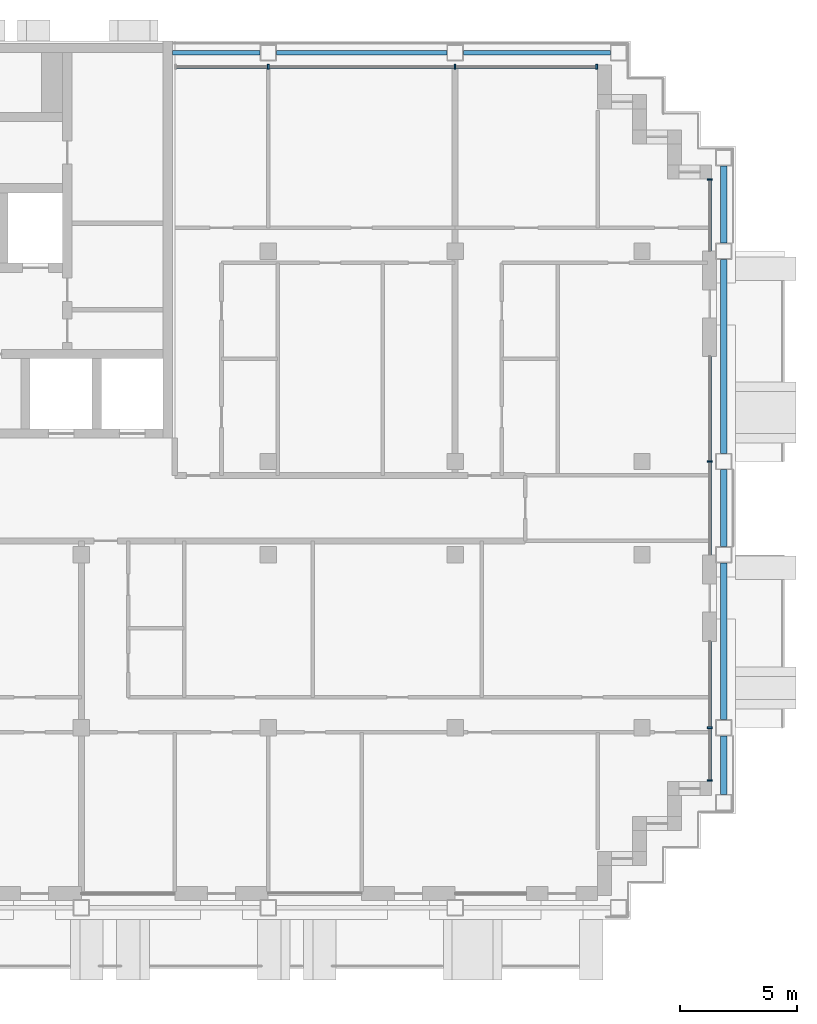
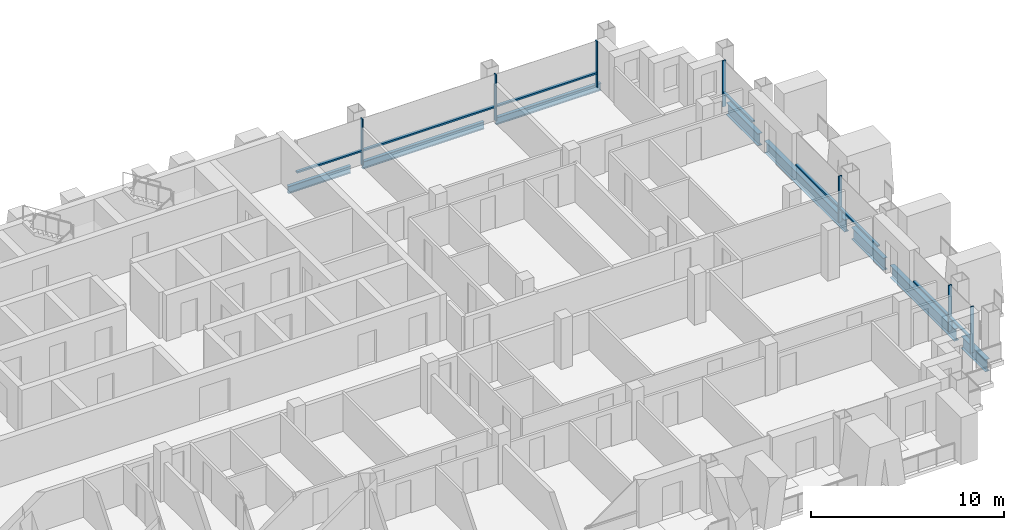
# One storey, part 5 of 16: 15 members, 8 beams, 4 elements without a shape of their own.
"""IFC4 building model written with IfcOpenShell, lengths in metres."""

from ifc_helpers import new_model, si_unit, direction, frame, origin, origin_2d, place, context, subcontext, project, spatial, rectangle, i_section, extrude, material, material_profile, profile_set, type_object, element, aggregate, save


model = new_model("IFC4")

# Units and contexts
model_context = context("Model", 3, precision=1e-05, world=origin(), true_north=direction((0.0, 1.0)))
body_context = subcontext(model_context, "Body", "Model", "MODEL_VIEW")
ifc_project = project(units=[si_unit("LENGTHUNIT", "METRE"), si_unit("AREAUNIT", "SQUARE_METRE"), si_unit("VOLUMEUNIT", "CUBIC_METRE"), si_unit("PLANEANGLEUNIT", "RADIAN"), si_unit("MASSUNIT", "GRAM", prefix="KILO")], contexts=[model_context])

# Site, building, storey
site_placement = place(None, origin())
site = spatial("IfcSite", under=ifc_project, at=site_placement, CompositionType="ELEMENT")
building_placement = place(site_placement, origin())
building = spatial("IfcBuilding", under=site, at=building_placement, Name="Vidyagriha Tower", CompositionType="ELEMENT")
storey_placement = place(building_placement, frame((0.0, 0.0, 171.699951171875)))
storey = spatial("IfcBuildingStorey", under=building, at=storey_placement, Name="L44", CompositionType="ELEMENT", Elevation=171.699951171875)

# Beams
ifc_material_1 = material(Name="Steel ASTM A992 Grade 50", Category="steel")
ifc_material_profile_1 = material_profile(ifc_material_1, i_section(OverallWidth=0.2666015625, OverallDepth=0.76953125, WebThickness=0.015625, FlangeThickness=0.025390625, at=origin_2d()), Name="W30X132")
ifc_profile_set_1 = profile_set([ifc_material_profile_1], Name="Steel ASTM A992 Grade 50")
beam_type_1 = type_object("IfcBeamType", Name="Cantilever edge beam W30X132", PredefinedType="SPANDREL", material=ifc_profile_set_1)
beam_1_placement = place(storey_placement, frame((37.5, -12.25, -0.664794921875), z_axis=(0.0, 1.0, 0.0), x_axis=(-1.0, 0.0, 0.0)))
element("IfcBeam", 1, at=beam_1_placement, inside=storey, type_object=beam_type_1, Name="st-beam-L44-E13", PredefinedType="SPANDREL", context=body_context, shape_type="SweptSolid", body=[
    extrude(i_section(OverallWidth=0.2666015625, OverallDepth=0.76953125, WebThickness=0.015625, FlangeThickness=0.025390625, at=origin_2d()), origin(), (0.0, 0.0, 1.0), 2.5),
])
beam_2_placement = place(storey_placement, frame((37.5, -9.050048828125, -0.664794921875), z_axis=(0.0, 1.0, 0.0), x_axis=(-1.0, 0.0, 0.0)))
element("IfcBeam", 2, at=beam_2_placement, inside=storey, type_object=beam_type_1, Name="st-beam-L44-E14", PredefinedType="SPANDREL", context=body_context, shape_type="SweptSolid", body=[
    extrude(i_section(OverallWidth=0.2666015625, OverallDepth=0.76953125, WebThickness=0.015625, FlangeThickness=0.025390625, at=origin_2d()), origin(), (0.0, 0.0, 1.0), 6.699951171875),
])
beam_3_placement = place(storey_placement, frame((37.5, -1.64990234375, -0.664794921875), z_axis=(0.0, 1.0, 0.0), x_axis=(-1.0, 0.0, 0.0)))
element("IfcBeam", 3, at=beam_3_placement, inside=storey, type_object=beam_type_1, Name="st-beam-L44-E15", PredefinedType="SPANDREL", context=body_context, shape_type="SweptSolid", body=[
    extrude(i_section(OverallWidth=0.2666015625, OverallDepth=0.76953125, WebThickness=0.015625, FlangeThickness=0.025390625, at=origin_2d()), origin(), (0.0, 0.0, 1.0), 3.2998046875),
])
beam_4_placement = place(storey_placement, frame((37.5, 2.35009765625, -0.664794921875), z_axis=(0.0, 1.0, 0.0), x_axis=(-1.0, 0.0, 0.0)))
element("IfcBeam", 4, at=beam_4_placement, inside=storey, type_object=beam_type_1, Name="st-beam-L44-E16", PredefinedType="SPANDREL", context=body_context, shape_type="SweptSolid", body=[
    extrude(i_section(OverallWidth=0.2666015625, OverallDepth=0.76953125, WebThickness=0.015625, FlangeThickness=0.025390625, at=origin_2d()), origin(), (0.0, 0.0, 1.0), 8.2998046875),
])
beam_5_placement = place(storey_placement, frame((37.5, 11.35009765625, -0.664794921875), z_axis=(0.0, 1.0, 0.0), x_axis=(-1.0, 0.0, 0.0)))
element("IfcBeam", 5, at=beam_5_placement, inside=storey, type_object=beam_type_1, Name="st-beam-L44-E17", PredefinedType="SPANDREL", context=body_context, shape_type="SweptSolid", body=[
    extrude(i_section(OverallWidth=0.2666015625, OverallDepth=0.76953125, WebThickness=0.015625, FlangeThickness=0.025390625, at=origin_2d()), origin(), (0.0, 0.0, 1.0), 3.2998046875),
])
ifc_material_2 = material(Name="Steel ASTM A992 Grade 50", Category="steel")
ifc_material_profile_2 = material_profile(ifc_material_2, i_section(OverallWidth=0.19189453125, OverallDepth=0.46240234375, WebThickness=0.010498046875, FlangeThickness=0.017578125, at=origin_2d()), Name="W18X60")
ifc_profile_set_2 = profile_set([ifc_material_profile_2], Name="Steel ASTM A992 Grade 50")
beam_type_2 = type_object("IfcBeamType", Name="Edge beam W18X60", PredefinedType="SPANDREL", material=ifc_profile_set_2)
beam_6_placement = place(storey_placement, frame((18.35009765625, 19.5, -0.510986328125), z_axis=(1.0, 0.0, 0.0), x_axis=(0.0, 1.0, 0.0)))
element("IfcBeam", 6, at=beam_6_placement, inside=storey, type_object=beam_type_2, Name="st-beam-L44-NE18", PredefinedType="SPANDREL", context=body_context, shape_type="SweptSolid", body=[
    extrude(i_section(OverallWidth=0.19189453125, OverallDepth=0.46240234375, WebThickness=0.010498046875, FlangeThickness=0.017578125, at=origin_2d()), origin(), (0.0, 0.0, 1.0), 7.2998046875),
])
beam_7_placement = place(storey_placement, frame((26.35009765625, 19.5, -0.510986328125), z_axis=(1.0, 0.0, 0.0), x_axis=(0.0, 1.0, 0.0)))
element("IfcBeam", 7, at=beam_7_placement, inside=storey, type_object=beam_type_2, Name="st-beam-L44-NE19", PredefinedType="SPANDREL", context=body_context, shape_type="SweptSolid", body=[
    extrude(i_section(OverallWidth=0.19189453125, OverallDepth=0.46240234375, WebThickness=0.010498046875, FlangeThickness=0.017578125, at=origin_2d()), origin(), (0.0, 0.0, 1.0), 6.2998046875),
])
beam_8_placement = place(storey_placement, frame((13.89990234375, 19.5, -0.510986328125), z_axis=(1.0, 0.0, 0.0), x_axis=(0.0, 1.0, 0.0)))
element("IfcBeam", 8, at=beam_8_placement, inside=storey, type_object=beam_type_2, Name="st-beam-L44-NC21", PredefinedType="SPANDREL", context=body_context, shape_type="SweptSolid", body=[
    extrude(i_section(OverallWidth=0.19189453125, OverallDepth=0.46240234375, WebThickness=0.010498046875, FlangeThickness=0.017578125, at=origin_2d()), origin(), (0.0, 0.0, 1.0), 3.75),
])

# Curtain wall, members
ifc_material_3 = material(Name="Aluminium and glass curtain wall", Category="aluminium")
curtain_wall_type = type_object("IfcCurtainWallType", Name="Dwelling skin unitised curtain wall", PredefinedType="USERDEFINED", material=ifc_material_3)
curtain_wall_1_placement = place(storey_placement, origin())
curtain_wall_1 = element("IfcCurtainWall", 9, at=curtain_wall_1_placement, inside=storey, type_object=curtain_wall_type, Name="CW1 dwelling skin", ObjectType="UNITISED", PredefinedType="USERDEFINED")
ifc_material_4 = material(Name="Aluminium black anodised", Category="aluminium")
ifc_material_profile_3 = material_profile(ifc_material_4, rectangle(XDim=0.199951171875, YDim=0.070068359375, at=origin_2d()), Name="Mullion 70x200 black aluminium")
ifc_profile_set_3 = profile_set([ifc_material_profile_3], Name="Aluminium black anodised")
member_type_1 = type_object("IfcMemberType", Name="Mullion 70x200 black aluminium", PredefinedType="MULLION", material=ifc_profile_set_3)
member_1_placement = place(storey_placement, frame((32.06494140625, 18.89990234375, 0.0), z_axis=(0.0, 0.0, 1.0), x_axis=(0.0, -1.0, 0.0)))
member_1 = element("IfcMember", 10, at=member_1_placement, type_object=member_type_1, Name="CW1 mullion 1", PredefinedType="MULLION", context=body_context, shape_type="SweptSolid", body=[
    extrude(rectangle(XDim=0.199951171875, YDim=0.070068359375, at=origin_2d()), origin(), (0.0, 0.0, 1.0), 2.920166015625),
])
member_2_placement = place(storey_placement, frame((26.0, 18.89990234375, 0.0), z_axis=(0.0, 0.0, 1.0), x_axis=(0.0, -1.0, 0.0)))
member_2 = element("IfcMember", 11, at=member_2_placement, type_object=member_type_1, Name="CW1 mullion 2", PredefinedType="MULLION", context=body_context, shape_type="SweptSolid", body=[
    extrude(rectangle(XDim=0.199951171875, YDim=0.070068359375, at=origin_2d()), origin(), (0.0, 0.0, 1.0), 2.920166015625),
])
member_3_placement = place(storey_placement, frame((18.0, 18.89990234375, 0.0), z_axis=(0.0, 0.0, 1.0), x_axis=(0.0, -1.0, 0.0)))
member_3 = element("IfcMember", 12, at=member_3_placement, type_object=member_type_1, Name="CW1 mullion 3", PredefinedType="MULLION", context=body_context, shape_type="SweptSolid", body=[
    extrude(rectangle(XDim=0.199951171875, YDim=0.070068359375, at=origin_2d()), origin(), (0.0, 0.0, 1.0), 2.920166015625),
])

curtain_wall_2_placement = place(storey_placement, origin())
curtain_wall_2 = element("IfcCurtainWall", 13, at=curtain_wall_2_placement, inside=storey, type_object=curtain_wall_type, Name="CW1 dwelling skin", ObjectType="UNITISED", PredefinedType="USERDEFINED")
member_4_placement = place(storey_placement, frame((36.89990234375, -11.6650390625, 0.0), z_axis=(0.0, 0.0, 1.0), x_axis=(-1.0, 0.0, 0.0)))
member_4 = element("IfcMember", 14, at=member_4_placement, type_object=member_type_1, Name="CW1 mullion 1", PredefinedType="MULLION", context=body_context, shape_type="SweptSolid", body=[
    extrude(rectangle(XDim=0.199951171875, YDim=0.070068359375, at=origin_2d()), origin(), (0.0, 0.0, 1.0), 2.920166015625),
])
member_5_placement = place(storey_placement, frame((36.89990234375, -9.39990234375, 0.0), z_axis=(0.0, 0.0, 1.0), x_axis=(-1.0, 0.0, 0.0)))
member_5 = element("IfcMember", 15, at=member_5_placement, type_object=member_type_1, Name="CW1 mullion 2", PredefinedType="MULLION", context=body_context, shape_type="SweptSolid", body=[
    extrude(rectangle(XDim=0.199951171875, YDim=0.070068359375, at=origin_2d()), origin(), (0.0, 0.0, 1.0), 2.920166015625),
])

# Curtain wall, member
curtain_wall_3_placement = place(storey_placement, origin())
curtain_wall_3 = element("IfcCurtainWall", 16, at=curtain_wall_3_placement, inside=storey, type_object=curtain_wall_type, Name="CW1 dwelling skin", ObjectType="UNITISED", PredefinedType="USERDEFINED")
member_6_placement = place(storey_placement, frame((36.89990234375, 2.0, 0.0), z_axis=(0.0, 0.0, 1.0), x_axis=(-1.0, 0.0, 0.0)))
member_6 = element("IfcMember", 17, at=member_6_placement, type_object=member_type_1, Name="CW1 mullion 2", PredefinedType="MULLION", context=body_context, shape_type="SweptSolid", body=[
    extrude(rectangle(XDim=0.199951171875, YDim=0.070068359375, at=origin_2d()), origin(), (0.0, 0.0, 1.0), 2.920166015625),
])

curtain_wall_4_placement = place(storey_placement, origin())
curtain_wall_4 = element("IfcCurtainWall", 18, at=curtain_wall_4_placement, inside=storey, type_object=curtain_wall_type, Name="CW1 dwelling skin", ObjectType="UNITISED", PredefinedType="USERDEFINED")
member_7_placement = place(storey_placement, frame((36.89990234375, 14.06494140625, 0.0), z_axis=(0.0, 0.0, 1.0), x_axis=(-1.0, 0.0, 0.0)))
member_7 = element("IfcMember", 19, at=member_7_placement, type_object=member_type_1, Name="CW1 mullion 2", PredefinedType="MULLION", context=body_context, shape_type="SweptSolid", body=[
    extrude(rectangle(XDim=0.199951171875, YDim=0.070068359375, at=origin_2d()), origin(), (0.0, 0.0, 1.0), 2.920166015625),
])

# Member
ifc_material_5 = material(Name="Aluminium black anodised", Category="aluminium")
ifc_material_profile_4 = material_profile(ifc_material_5, rectangle(XDim=0.159912109375, YDim=0.10009765625, at=origin_2d()), Name="Transom 100x160 black aluminium")
ifc_profile_set_4 = profile_set([ifc_material_profile_4], Name="Aluminium black anodised")
member_type_2 = type_object("IfcMemberType", Name="Transom 100x160 black aluminium", PredefinedType="USERDEFINED", material=ifc_profile_set_4)
member_8_placement = place(storey_placement, frame((32.030029296875, 18.89990234375, 0.900146484375), z_axis=(-1.0, 0.0, 0.0), x_axis=(0.0, -1.0, 0.0)))
member_8 = element("IfcMember", 20, at=member_8_placement, type_object=member_type_2, Name="CW1 transom 1.1", ObjectType="TRANSOM", PredefinedType="USERDEFINED", context=body_context, shape_type="SweptSolid", body=[
    extrude(rectangle(XDim=0.159912109375, YDim=0.10009765625, at=origin_2d()), origin(), (0.0, 0.0, 1.0), 5.9951171875),
])

member_9_placement = place(storey_placement, frame((25.965087890625, 18.89990234375, 0.900146484375), z_axis=(-1.0, 0.0, 0.0), x_axis=(0.0, -1.0, 0.0)))
member_9 = element("IfcMember", 21, at=member_9_placement, type_object=member_type_2, Name="CW1 transom 2.1", ObjectType="TRANSOM", PredefinedType="USERDEFINED", context=body_context, shape_type="SweptSolid", body=[
    extrude(rectangle(XDim=0.159912109375, YDim=0.10009765625, at=origin_2d()), origin(), (0.0, 0.0, 1.0), 7.93017578125),
])

member_10_placement = place(storey_placement, frame((17.965087890625, 18.89990234375, 0.900146484375), z_axis=(-1.0, 0.0, 0.0), x_axis=(0.0, -1.0, 0.0)))
member_10 = element("IfcMember", 22, at=member_10_placement, type_object=member_type_2, Name="CW1 transom 3.1", ObjectType="TRANSOM", PredefinedType="USERDEFINED", context=body_context, shape_type="SweptSolid", body=[
    extrude(rectangle(XDim=0.159912109375, YDim=0.10009765625, at=origin_2d()), origin(), (0.0, 0.0, 1.0), 3.89501953125),
])

aggregate(curtain_wall_1, [member_1, member_2, member_3, member_8, member_9, member_10])

member_11_placement = place(storey_placement, frame((36.89990234375, -11.6298828125, 0.900146484375), z_axis=(0.0, 1.0, 0.0), x_axis=(-1.0, 0.0, 0.0)))
member_11 = element("IfcMember", 23, at=member_11_placement, type_object=member_type_2, Name="CW1 transom 1.1", ObjectType="TRANSOM", PredefinedType="USERDEFINED", context=body_context, shape_type="SweptSolid", body=[
    extrude(rectangle(XDim=0.159912109375, YDim=0.10009765625, at=origin_2d()), origin(), (0.0, 0.0, 1.0), 2.19482421875),
])

member_12_placement = place(storey_placement, frame((36.89990234375, -9.364990234375, 0.900146484375), z_axis=(0.0, 1.0, 0.0), x_axis=(-1.0, 0.0, 0.0)))
member_12 = element("IfcMember", 24, at=member_12_placement, type_object=member_type_2, Name="CW1 transom 2.1", ObjectType="TRANSOM", PredefinedType="USERDEFINED", context=body_context, shape_type="SweptSolid", body=[
    extrude(rectangle(XDim=0.159912109375, YDim=0.10009765625, at=origin_2d()), origin(), (0.0, 0.0, 1.0), 3.6650390625),
])

aggregate(curtain_wall_2, [member_4, member_5, member_11, member_12])

member_13_placement = place(storey_placement, frame((36.89990234375, -2.0, 0.900146484375), z_axis=(0.0, 1.0, 0.0), x_axis=(-1.0, 0.0, 0.0)))
member_13 = element("IfcMember", 25, at=member_13_placement, type_object=member_type_2, Name="CW1 transom 1.1", ObjectType="TRANSOM", PredefinedType="USERDEFINED", context=body_context, shape_type="SweptSolid", body=[
    extrude(rectangle(XDim=0.159912109375, YDim=0.10009765625, at=origin_2d()), origin(), (0.0, 0.0, 1.0), 3.965087890625),
])

member_14_placement = place(storey_placement, frame((36.89990234375, 2.034912109375, 0.900146484375), z_axis=(0.0, 1.0, 0.0), x_axis=(-1.0, 0.0, 0.0)))
member_14 = element("IfcMember", 26, at=member_14_placement, type_object=member_type_2, Name="CW1 transom 2.1", ObjectType="TRANSOM", PredefinedType="USERDEFINED", context=body_context, shape_type="SweptSolid", body=[
    extrude(rectangle(XDim=0.159912109375, YDim=0.10009765625, at=origin_2d()), origin(), (0.0, 0.0, 1.0), 4.465087890625),
])

aggregate(curtain_wall_3, [member_6, member_13, member_14])

member_15_placement = place(storey_placement, frame((36.89990234375, 11.0, 0.900146484375), z_axis=(0.0, 1.0, 0.0), x_axis=(-1.0, 0.0, 0.0)))
member_15 = element("IfcMember", 27, at=member_15_placement, type_object=member_type_2, Name="CW1 transom 1.1", ObjectType="TRANSOM", PredefinedType="USERDEFINED", context=body_context, shape_type="SweptSolid", body=[
    extrude(rectangle(XDim=0.159912109375, YDim=0.10009765625, at=origin_2d()), origin(), (0.0, 0.0, 1.0), 3.030029296875),
])

aggregate(curtain_wall_4, [member_7, member_15])

save(model, "model.ifc")
